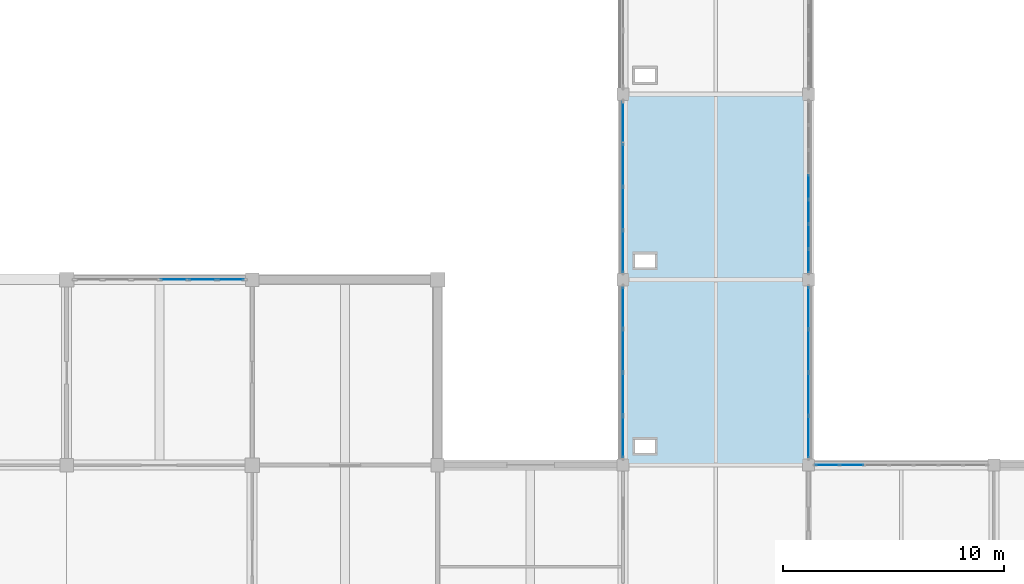
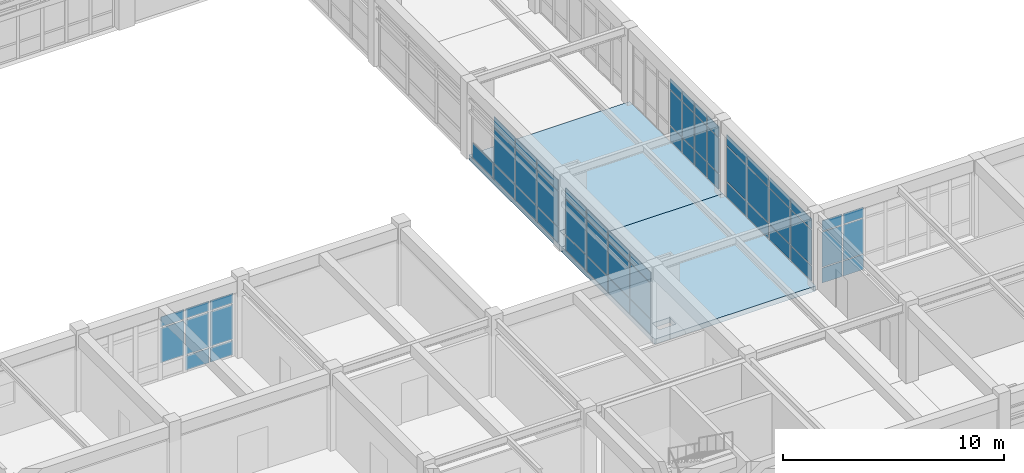
# One storey, part 50 of 78: 60 plates, 2 slabs, 6 elements without a shape of their own.
"""IFC4 building model written with IfcOpenShell, lengths in metres."""

from ifc_helpers import new_model, si_unit, direction, frame, origin, origin_2d, place, context, subcontext, project, spatial, polyline, rectangle, outline, extrude, material, layer, layer_set, type_object, element, aggregate, save


model = new_model("IFC4")

# Units and contexts
model_context = context("Model", 3, precision=1e-05, world=origin(), true_north=direction((0.0, 1.0)))
body_context = subcontext(model_context, "Body", "Model", "MODEL_VIEW")
ifc_project = project(units=[si_unit("LENGTHUNIT", "METRE"), si_unit("AREAUNIT", "SQUARE_METRE"), si_unit("VOLUMEUNIT", "CUBIC_METRE"), si_unit("PLANEANGLEUNIT", "RADIAN"), si_unit("MASSUNIT", "GRAM", prefix="KILO")], contexts=[model_context])

# Site, building, storey
site_placement = place(None, origin())
site = spatial("IfcSite", under=ifc_project, at=site_placement, CompositionType="ELEMENT")
building_placement = place(site_placement, origin())
building = spatial("IfcBuilding", under=site, at=building_placement, Name="Porcellanite Civic Hall", CompositionType="ELEMENT")
storey_placement = place(building_placement, frame((0.0, 0.0, 10.260009765625)))
storey = spatial("IfcBuildingStorey", under=building, at=storey_placement, Name="L02", CompositionType="ELEMENT", Elevation=10.260009765625)

# Curtain wall, plates
ifc_material_1 = material(Name="Anodised aluminium and solar laminated glass", Category="aluminium")
ifc_layer_1 = layer(ifc_material_1, 0.179931640625)
ifc_layer_set_1 = layer_set([ifc_layer_1], Name="Anodised aluminium and solar laminated glass")
curtain_wall_type_1 = type_object("IfcCurtainWallType", Name="CW-SYS01", PredefinedType="NOTDEFINED", material=ifc_layer_set_1)
curtain_wall_1_placement = place(storey_placement, origin())
curtain_wall_1 = element("IfcCurtainWall", 1, at=curtain_wall_1_placement, inside=storey, type_object=curtain_wall_type_1, Name="Curtain wall CW-157", PredefinedType="NOTDEFINED")
ifc_material_2 = material(Name="Cyclone laminated solar-control low-E glass", Category="glass")
ifc_layer_2 = layer(ifc_material_2, 0.02392578125)
ifc_layer_set_2 = layer_set([ifc_layer_2], Name="Cyclone laminated solar-control low-E glass")
plate_type_1 = type_object("IfcPlateType", Name="CWP-01", PredefinedType="CURTAIN_PANEL", material=ifc_layer_set_2)
plate_1_placement = place(storey_placement, frame((97.26025390625, 75.60009765625, 0.93505859375), z_axis=(0.0, 0.0, 1.0), x_axis=(1.0, 0.0, 0.0)))
plate_1 = element("IfcPlate", 2, at=plate_1_placement, type_object=plate_type_1, Name="CW-157 panel 4.2", PredefinedType="CURTAIN_PANEL", context=body_context, shape_type="SweptSolid", body=[
    extrude(rectangle(XDim=1.215576171875, YDim=0.02392578125, at=origin_2d()), origin(), (0.0, 0.0, 1.0), 1.919921875),
])
plate_2_placement = place(storey_placement, frame((97.26025390625, 75.60009765625, 2.925048828125), z_axis=(0.0, 0.0, 1.0), x_axis=(1.0, 0.0, 0.0)))
plate_2 = element("IfcPlate", 3, at=plate_2_placement, type_object=plate_type_1, Name="CW-157 panel 4.3", PredefinedType="CURTAIN_PANEL", context=body_context, shape_type="SweptSolid", body=[
    extrude(rectangle(XDim=1.215576171875, YDim=0.02392578125, at=origin_2d()), origin(), (0.0, 0.0, 1.0), 0.544921875),
])
plate_3_placement = place(storey_placement, frame((98.5556640625, 75.60009765625, 0.070068359375), z_axis=(0.0, 0.0, 1.0), x_axis=(1.0, 0.0, 0.0)))
plate_3 = element("IfcPlate", 4, at=plate_3_placement, type_object=plate_type_1, Name="CW-157 panel 5.1", PredefinedType="CURTAIN_PANEL", context=body_context, shape_type="SweptSolid", body=[
    extrude(rectangle(XDim=1.215576171875, YDim=0.02392578125, at=origin_2d()), origin(), (0.0, 0.0, 1.0), 0.794921875),
])
plate_4_placement = place(storey_placement, frame((98.5556640625, 75.60009765625, 0.93505859375), z_axis=(0.0, 0.0, 1.0), x_axis=(1.0, 0.0, 0.0)))
plate_4 = element("IfcPlate", 5, at=plate_4_placement, type_object=plate_type_1, Name="CW-157 panel 5.2", PredefinedType="CURTAIN_PANEL", context=body_context, shape_type="SweptSolid", body=[
    extrude(rectangle(XDim=1.215576171875, YDim=0.02392578125, at=origin_2d()), origin(), (0.0, 0.0, 1.0), 1.919921875),
])
plate_5_placement = place(storey_placement, frame((98.5556640625, 75.60009765625, 2.925048828125), z_axis=(0.0, 0.0, 1.0), x_axis=(1.0, 0.0, 0.0)))
plate_5 = element("IfcPlate", 6, at=plate_5_placement, type_object=plate_type_1, Name="CW-157 panel 5.3", PredefinedType="CURTAIN_PANEL", context=body_context, shape_type="SweptSolid", body=[
    extrude(rectangle(XDim=1.215576171875, YDim=0.02392578125, at=origin_2d()), origin(), (0.0, 0.0, 1.0), 0.544921875),
])
plate_6_placement = place(storey_placement, frame((99.831298828125, 75.60009765625, 0.070068359375), z_axis=(0.0, 0.0, 1.0), x_axis=(1.0, 0.0, 0.0)))
plate_6 = element("IfcPlate", 7, at=plate_6_placement, type_object=plate_type_1, Name="CW-157 panel 6.1", PredefinedType="CURTAIN_PANEL", context=body_context, shape_type="SweptSolid", body=[
    extrude(rectangle(XDim=1.175537109375, YDim=0.02392578125, at=origin_2d()), origin(), (0.0, 0.0, 1.0), 0.794921875),
])
plate_7_placement = place(storey_placement, frame((99.831298828125, 75.60009765625, 0.93505859375), z_axis=(0.0, 0.0, 1.0), x_axis=(1.0, 0.0, 0.0)))
plate_7 = element("IfcPlate", 8, at=plate_7_placement, type_object=plate_type_1, Name="CW-157 panel 6.2", PredefinedType="CURTAIN_PANEL", context=body_context, shape_type="SweptSolid", body=[
    extrude(rectangle(XDim=1.175537109375, YDim=0.02392578125, at=origin_2d()), origin(), (0.0, 0.0, 1.0), 1.919921875),
])
plate_8_placement = place(storey_placement, frame((99.831298828125, 75.60009765625, 2.925048828125), z_axis=(0.0, 0.0, 1.0), x_axis=(1.0, 0.0, 0.0)))
plate_8 = element("IfcPlate", 9, at=plate_8_placement, type_object=plate_type_1, Name="CW-157 panel 6.3", PredefinedType="CURTAIN_PANEL", context=body_context, shape_type="SweptSolid", body=[
    extrude(rectangle(XDim=1.175537109375, YDim=0.02392578125, at=origin_2d()), origin(), (0.0, 0.0, 1.0), 0.544921875),
])
aggregate(curtain_wall_1, [plate_1, plate_2, plate_3, plate_4, plate_5, plate_6, plate_7, plate_8])

ifc_material_3 = material(Name="Anodised aluminium and solar laminated glass", Category="aluminium")
ifc_layer_3 = layer(ifc_material_3, 0.179931640625)
ifc_layer_set_3 = layer_set([ifc_layer_3], Name="Anodised aluminium and solar laminated glass")
curtain_wall_type_2 = type_object("IfcCurtainWallType", Name="CW-SYS07", PredefinedType="NOTDEFINED", material=ifc_layer_set_3)
curtain_wall_2_placement = place(storey_placement, origin())
curtain_wall_2 = element("IfcCurtainWall", 10, at=curtain_wall_2_placement, inside=storey, type_object=curtain_wall_type_2, Name="Curtain wall CW-171", PredefinedType="NOTDEFINED")
ifc_material_4 = material(Name="Cyclone laminated solar-control low-E glass", Category="glass")
ifc_layer_4 = layer(ifc_material_4, 0.02587890625)
ifc_layer_set_4 = layer_set([ifc_layer_4], Name="Cyclone laminated solar-control low-E glass")
plate_type_2 = type_object("IfcPlateType", Name="CWP-02", PredefinedType="CURTAIN_PANEL", material=ifc_layer_set_4)
plate_9_placement = place(storey_placement, frame((126.8515625, 67.199951171875, 0.0498046875), z_axis=(0.0, 0.0, 1.0), x_axis=(1.0, 0.0, 0.0)))
plate_9 = element("IfcPlate", 11, at=plate_9_placement, type_object=plate_type_2, Name="CW-171 panel 1.1", PredefinedType="CURTAIN_PANEL", context=body_context, shape_type="SweptSolid", body=[
    extrude(rectangle(XDim=1.03125, YDim=0.02587890625, at=origin_2d()), origin(), (0.0, 0.0, 1.0), 0.824951171875),
])
plate_10_placement = place(storey_placement, frame((126.8515625, 67.199951171875, 0.925048828125), z_axis=(0.0, 0.0, 1.0), x_axis=(1.0, 0.0, 0.0)))
plate_10 = element("IfcPlate", 12, at=plate_10_placement, type_object=plate_type_2, Name="CW-171 panel 1.2", PredefinedType="CURTAIN_PANEL", context=body_context, shape_type="SweptSolid", body=[
    extrude(rectangle(XDim=1.03125, YDim=0.02587890625, at=origin_2d()), origin(), (0.0, 0.0, 1.0), 1.93994140625),
])
plate_11_placement = place(storey_placement, frame((126.8515625, 67.199951171875, 2.9150390625), z_axis=(0.0, 0.0, 1.0), x_axis=(1.0, 0.0, 0.0)))
plate_11 = element("IfcPlate", 13, at=plate_11_placement, type_object=plate_type_2, Name="CW-171 panel 1.3", PredefinedType="CURTAIN_PANEL", context=body_context, shape_type="SweptSolid", body=[
    extrude(rectangle(XDim=1.03125, YDim=0.02587890625, at=origin_2d()), origin(), (0.0, 0.0, 1.0), 0.574951171875),
])
plate_12_placement = place(storey_placement, frame((127.957763671875, 67.199951171875, 0.0498046875), z_axis=(0.0, 0.0, 1.0), x_axis=(1.0, 0.0, 0.0)))
plate_12 = element("IfcPlate", 14, at=plate_12_placement, type_object=plate_type_2, Name="CW-171 panel 2.1", PredefinedType="CURTAIN_PANEL", context=body_context, shape_type="SweptSolid", body=[
    extrude(rectangle(XDim=1.06103515625, YDim=0.02587890625, at=origin_2d()), origin(), (0.0, 0.0, 1.0), 0.824951171875),
])
plate_13_placement = place(storey_placement, frame((127.957763671875, 67.199951171875, 0.925048828125), z_axis=(0.0, 0.0, 1.0), x_axis=(1.0, 0.0, 0.0)))
plate_13 = element("IfcPlate", 15, at=plate_13_placement, type_object=plate_type_2, Name="CW-171 panel 2.2", PredefinedType="CURTAIN_PANEL", context=body_context, shape_type="SweptSolid", body=[
    extrude(rectangle(XDim=1.06103515625, YDim=0.02587890625, at=origin_2d()), origin(), (0.0, 0.0, 1.0), 1.93994140625),
])
plate_14_placement = place(storey_placement, frame((127.957763671875, 67.199951171875, 2.9150390625), z_axis=(0.0, 0.0, 1.0), x_axis=(1.0, 0.0, 0.0)))
plate_14 = element("IfcPlate", 16, at=plate_14_placement, type_object=plate_type_2, Name="CW-171 panel 2.3", PredefinedType="CURTAIN_PANEL", context=body_context, shape_type="SweptSolid", body=[
    extrude(rectangle(XDim=1.06103515625, YDim=0.02587890625, at=origin_2d()), origin(), (0.0, 0.0, 1.0), 0.574951171875),
])
aggregate(curtain_wall_2, [plate_9, plate_10, plate_11, plate_12, plate_13, plate_14])

ifc_material_5 = material(Name="Anodised aluminium and solar laminated glass", Category="aluminium")
ifc_layer_5 = layer(ifc_material_5, 0.179931640625)
ifc_layer_set_5 = layer_set([ifc_layer_5], Name="Anodised aluminium and solar laminated glass")
curtain_wall_type_3 = type_object("IfcCurtainWallType", Name="CW-SYS03", PredefinedType="NOTDEFINED", material=ifc_layer_set_5)
curtain_wall_3_placement = place(storey_placement, origin())
curtain_wall_3 = element("IfcCurtainWall", 17, at=curtain_wall_3_placement, inside=storey, type_object=curtain_wall_type_3, Name="Curtain wall CW-162", PredefinedType="NOTDEFINED")
ifc_material_6 = material(Name="Cyclone laminated solar-control low-E glass", Category="glass")
ifc_layer_6 = layer(ifc_material_6, 0.028076171875)
ifc_layer_set_6 = layer_set([ifc_layer_6], Name="Cyclone laminated solar-control low-E glass")
plate_type_3 = type_object("IfcPlateType", Name="CWP-03", PredefinedType="CURTAIN_PANEL", material=ifc_layer_set_6)
plate_15_placement = place(storey_placement, frame((117.60009765625, 68.47705078125, 0.054931640625), z_axis=(0.0, 0.0, 1.0), x_axis=(0.0, 1.0, 0.0)))
plate_15 = element("IfcPlate", 18, at=plate_15_placement, type_object=plate_type_3, Name="CW-162 panel 1.1", PredefinedType="CURTAIN_PANEL", context=body_context, shape_type="SweptSolid", body=[
    extrude(rectangle(XDim=1.842041015625, YDim=0.028076171875, at=origin_2d()), origin(), (0.0, 0.0, 1.0), 0.8173828125),
])
plate_16_placement = place(storey_placement, frame((117.60009765625, 68.47705078125, 0.927490234375), z_axis=(0.0, 0.0, 1.0), x_axis=(0.0, 1.0, 0.0)))
plate_16 = element("IfcPlate", 19, at=plate_16_placement, type_object=plate_type_3, Name="CW-162 panel 1.2", PredefinedType="CURTAIN_PANEL", context=body_context, shape_type="SweptSolid", body=[
    extrude(rectangle(XDim=1.842041015625, YDim=0.028076171875, at=origin_2d()), origin(), (0.0, 0.0, 1.0), 1.93505859375),
])
plate_17_placement = place(storey_placement, frame((117.60009765625, 68.47705078125, 2.91748046875), z_axis=(0.0, 0.0, 1.0), x_axis=(0.0, 1.0, 0.0)))
plate_17 = element("IfcPlate", 20, at=plate_17_placement, type_object=plate_type_3, Name="CW-162 panel 1.3", PredefinedType="CURTAIN_PANEL", context=body_context, shape_type="SweptSolid", body=[
    extrude(rectangle(XDim=1.842041015625, YDim=0.028076171875, at=origin_2d()), origin(), (0.0, 0.0, 1.0), 0.5673828125),
])
plate_18_placement = place(storey_placement, frame((117.60009765625, 70.4189453125, 0.054931640625), z_axis=(0.0, 0.0, 1.0), x_axis=(0.0, 1.0, 0.0)))
plate_18 = element("IfcPlate", 21, at=plate_18_placement, type_object=plate_type_3, Name="CW-162 panel 2.1", PredefinedType="CURTAIN_PANEL", context=body_context, shape_type="SweptSolid", body=[
    extrude(rectangle(XDim=1.882080078125, YDim=0.028076171875, at=origin_2d()), origin(), (0.0, 0.0, 1.0), 0.8173828125),
])
plate_19_placement = place(storey_placement, frame((117.60009765625, 70.4189453125, 0.927490234375), z_axis=(0.0, 0.0, 1.0), x_axis=(0.0, 1.0, 0.0)))
plate_19 = element("IfcPlate", 22, at=plate_19_placement, type_object=plate_type_3, Name="CW-162 panel 2.2", PredefinedType="CURTAIN_PANEL", context=body_context, shape_type="SweptSolid", body=[
    extrude(rectangle(XDim=1.882080078125, YDim=0.028076171875, at=origin_2d()), origin(), (0.0, 0.0, 1.0), 1.93505859375),
])
plate_20_placement = place(storey_placement, frame((117.60009765625, 70.4189453125, 2.91748046875), z_axis=(0.0, 0.0, 1.0), x_axis=(0.0, 1.0, 0.0)))
plate_20 = element("IfcPlate", 23, at=plate_20_placement, type_object=plate_type_3, Name="CW-162 panel 2.3", PredefinedType="CURTAIN_PANEL", context=body_context, shape_type="SweptSolid", body=[
    extrude(rectangle(XDim=1.882080078125, YDim=0.028076171875, at=origin_2d()), origin(), (0.0, 0.0, 1.0), 0.5673828125),
])
plate_21_placement = place(storey_placement, frame((117.60009765625, 72.381103515625, 0.054931640625), z_axis=(0.0, 0.0, 1.0), x_axis=(0.0, 1.0, 0.0)))
plate_21 = element("IfcPlate", 24, at=plate_21_placement, type_object=plate_type_3, Name="CW-162 panel 3.1", PredefinedType="CURTAIN_PANEL", context=body_context, shape_type="SweptSolid", body=[
    extrude(rectangle(XDim=1.882080078125, YDim=0.028076171875, at=origin_2d()), origin(), (0.0, 0.0, 1.0), 0.8173828125),
])
plate_22_placement = place(storey_placement, frame((117.60009765625, 72.381103515625, 0.927490234375), z_axis=(0.0, 0.0, 1.0), x_axis=(0.0, 1.0, 0.0)))
plate_22 = element("IfcPlate", 25, at=plate_22_placement, type_object=plate_type_3, Name="CW-162 panel 3.2", PredefinedType="CURTAIN_PANEL", context=body_context, shape_type="SweptSolid", body=[
    extrude(rectangle(XDim=1.882080078125, YDim=0.028076171875, at=origin_2d()), origin(), (0.0, 0.0, 1.0), 1.93505859375),
])
plate_23_placement = place(storey_placement, frame((117.60009765625, 72.381103515625, 2.91748046875), z_axis=(0.0, 0.0, 1.0), x_axis=(0.0, 1.0, 0.0)))
plate_23 = element("IfcPlate", 26, at=plate_23_placement, type_object=plate_type_3, Name="CW-162 panel 3.3", PredefinedType="CURTAIN_PANEL", context=body_context, shape_type="SweptSolid", body=[
    extrude(rectangle(XDim=1.882080078125, YDim=0.028076171875, at=origin_2d()), origin(), (0.0, 0.0, 1.0), 0.5673828125),
])
plate_24_placement = place(storey_placement, frame((117.60009765625, 74.322998046875, 0.054931640625), z_axis=(0.0, 0.0, 1.0), x_axis=(0.0, 1.0, 0.0)))
plate_24 = element("IfcPlate", 27, at=plate_24_placement, type_object=plate_type_3, Name="CW-162 panel 4.1", PredefinedType="CURTAIN_PANEL", context=body_context, shape_type="SweptSolid", body=[
    extrude(rectangle(XDim=1.842041015625, YDim=0.028076171875, at=origin_2d()), origin(), (0.0, 0.0, 1.0), 0.8173828125),
])
plate_25_placement = place(storey_placement, frame((117.60009765625, 74.322998046875, 0.927490234375), z_axis=(0.0, 0.0, 1.0), x_axis=(0.0, 1.0, 0.0)))
plate_25 = element("IfcPlate", 28, at=plate_25_placement, type_object=plate_type_3, Name="CW-162 panel 4.2", PredefinedType="CURTAIN_PANEL", context=body_context, shape_type="SweptSolid", body=[
    extrude(rectangle(XDim=1.842041015625, YDim=0.028076171875, at=origin_2d()), origin(), (0.0, 0.0, 1.0), 1.93505859375),
])
plate_26_placement = place(storey_placement, frame((117.60009765625, 74.322998046875, 2.91748046875), z_axis=(0.0, 0.0, 1.0), x_axis=(0.0, 1.0, 0.0)))
plate_26 = element("IfcPlate", 29, at=plate_26_placement, type_object=plate_type_3, Name="CW-162 panel 4.3", PredefinedType="CURTAIN_PANEL", context=body_context, shape_type="SweptSolid", body=[
    extrude(rectangle(XDim=1.842041015625, YDim=0.028076171875, at=origin_2d()), origin(), (0.0, 0.0, 1.0), 0.5673828125),
])
aggregate(curtain_wall_3, [plate_15, plate_16, plate_17, plate_18, plate_19, plate_20, plate_21, plate_22, plate_23, plate_24, plate_25, plate_26])

ifc_material_7 = material(Name="Anodised aluminium and solar laminated glass", Category="aluminium")
ifc_layer_7 = layer(ifc_material_7, 0.179931640625)
ifc_layer_set_7 = layer_set([ifc_layer_7], Name="Anodised aluminium and solar laminated glass")
curtain_wall_type_4 = type_object("IfcCurtainWallType", Name="CW-SYS04", PredefinedType="NOTDEFINED", material=ifc_layer_set_7)
curtain_wall_4_placement = place(storey_placement, origin())
curtain_wall_4 = element("IfcCurtainWall", 30, at=curtain_wall_4_placement, inside=storey, type_object=curtain_wall_type_4, Name="Curtain wall CW-163", PredefinedType="NOTDEFINED")
ifc_material_8 = material(Name="Cyclone laminated solar-control low-E glass", Category="glass")
ifc_layer_8 = layer(ifc_material_8, 0.030029296875)
ifc_layer_set_8 = layer_set([ifc_layer_8], Name="Cyclone laminated solar-control low-E glass")
plate_type_4 = type_object("IfcPlateType", Name="CWP-04", PredefinedType="CURTAIN_PANEL", material=ifc_layer_set_8)
plate_27_placement = place(storey_placement, frame((126.0, 74.32421875, 0.054931640625), z_axis=(0.0, 0.0, 1.0), x_axis=(0.0, -1.0, 0.0)))
plate_27 = element("IfcPlate", 31, at=plate_27_placement, type_object=plate_type_4, Name="CW-163 panel 1.1", PredefinedType="CURTAIN_PANEL", context=body_context, shape_type="SweptSolid", body=[
    extrude(rectangle(XDim=1.849609375, YDim=0.030029296875, at=origin_2d()), origin(), (0.0, 0.0, 1.0), 0.8173828125),
])
plate_28_placement = place(storey_placement, frame((126.0, 74.32421875, 0.927490234375), z_axis=(0.0, 0.0, 1.0), x_axis=(0.0, -1.0, 0.0)))
plate_28 = element("IfcPlate", 32, at=plate_28_placement, type_object=plate_type_4, Name="CW-163 panel 1.2", PredefinedType="CURTAIN_PANEL", context=body_context, shape_type="SweptSolid", body=[
    extrude(rectangle(XDim=1.849609375, YDim=0.030029296875, at=origin_2d()), origin(), (0.0, 0.0, 1.0), 1.93505859375),
])
plate_29_placement = place(storey_placement, frame((126.0, 74.32421875, 2.91748046875), z_axis=(0.0, 0.0, 1.0), x_axis=(0.0, -1.0, 0.0)))
plate_29 = element("IfcPlate", 33, at=plate_29_placement, type_object=plate_type_4, Name="CW-163 panel 1.3", PredefinedType="CURTAIN_PANEL", context=body_context, shape_type="SweptSolid", body=[
    extrude(rectangle(XDim=1.849609375, YDim=0.030029296875, at=origin_2d()), origin(), (0.0, 0.0, 1.0), 0.5673828125),
])
plate_30_placement = place(storey_placement, frame((126.0, 72.381103515625, 0.054931640625), z_axis=(0.0, 0.0, 1.0), x_axis=(0.0, -1.0, 0.0)))
plate_30 = element("IfcPlate", 34, at=plate_30_placement, type_object=plate_type_4, Name="CW-163 panel 2.1", PredefinedType="CURTAIN_PANEL", context=body_context, shape_type="SweptSolid", body=[
    extrude(rectangle(XDim=1.886962890625, YDim=0.030029296875, at=origin_2d()), origin(), (0.0, 0.0, 1.0), 0.8173828125),
])
plate_31_placement = place(storey_placement, frame((126.0, 72.381103515625, 0.927490234375), z_axis=(0.0, 0.0, 1.0), x_axis=(0.0, -1.0, 0.0)))
plate_31 = element("IfcPlate", 35, at=plate_31_placement, type_object=plate_type_4, Name="CW-163 panel 2.2", PredefinedType="CURTAIN_PANEL", context=body_context, shape_type="SweptSolid", body=[
    extrude(rectangle(XDim=1.886962890625, YDim=0.030029296875, at=origin_2d()), origin(), (0.0, 0.0, 1.0), 1.93505859375),
])
plate_32_placement = place(storey_placement, frame((126.0, 72.381103515625, 2.91748046875), z_axis=(0.0, 0.0, 1.0), x_axis=(0.0, -1.0, 0.0)))
plate_32 = element("IfcPlate", 36, at=plate_32_placement, type_object=plate_type_4, Name="CW-163 panel 2.3", PredefinedType="CURTAIN_PANEL", context=body_context, shape_type="SweptSolid", body=[
    extrude(rectangle(XDim=1.886962890625, YDim=0.030029296875, at=origin_2d()), origin(), (0.0, 0.0, 1.0), 0.5673828125),
])
plate_33_placement = place(storey_placement, frame((126.0, 70.4189453125, 0.054931640625), z_axis=(0.0, 0.0, 1.0), x_axis=(0.0, -1.0, 0.0)))
plate_33 = element("IfcPlate", 37, at=plate_33_placement, type_object=plate_type_4, Name="CW-163 panel 3.1", PredefinedType="CURTAIN_PANEL", context=body_context, shape_type="SweptSolid", body=[
    extrude(rectangle(XDim=1.886962890625, YDim=0.030029296875, at=origin_2d()), origin(), (0.0, 0.0, 1.0), 0.8173828125),
])
plate_34_placement = place(storey_placement, frame((126.0, 70.4189453125, 0.927490234375), z_axis=(0.0, 0.0, 1.0), x_axis=(0.0, -1.0, 0.0)))
plate_34 = element("IfcPlate", 38, at=plate_34_placement, type_object=plate_type_4, Name="CW-163 panel 3.2", PredefinedType="CURTAIN_PANEL", context=body_context, shape_type="SweptSolid", body=[
    extrude(rectangle(XDim=1.886962890625, YDim=0.030029296875, at=origin_2d()), origin(), (0.0, 0.0, 1.0), 1.93505859375),
])
plate_35_placement = place(storey_placement, frame((126.0, 70.4189453125, 2.91748046875), z_axis=(0.0, 0.0, 1.0), x_axis=(0.0, -1.0, 0.0)))
plate_35 = element("IfcPlate", 39, at=plate_35_placement, type_object=plate_type_4, Name="CW-163 panel 3.3", PredefinedType="CURTAIN_PANEL", context=body_context, shape_type="SweptSolid", body=[
    extrude(rectangle(XDim=1.886962890625, YDim=0.030029296875, at=origin_2d()), origin(), (0.0, 0.0, 1.0), 0.5673828125),
])
plate_36_placement = place(storey_placement, frame((126.0, 68.475830078125, 0.054931640625), z_axis=(0.0, 0.0, 1.0), x_axis=(0.0, -1.0, 0.0)))
plate_36 = element("IfcPlate", 40, at=plate_36_placement, type_object=plate_type_4, Name="CW-163 panel 4.1", PredefinedType="CURTAIN_PANEL", context=body_context, shape_type="SweptSolid", body=[
    extrude(rectangle(XDim=1.849609375, YDim=0.030029296875, at=origin_2d()), origin(), (0.0, 0.0, 1.0), 0.8173828125),
])
plate_37_placement = place(storey_placement, frame((126.0, 68.475830078125, 0.927490234375), z_axis=(0.0, 0.0, 1.0), x_axis=(0.0, -1.0, 0.0)))
plate_37 = element("IfcPlate", 41, at=plate_37_placement, type_object=plate_type_4, Name="CW-163 panel 4.2", PredefinedType="CURTAIN_PANEL", context=body_context, shape_type="SweptSolid", body=[
    extrude(rectangle(XDim=1.849609375, YDim=0.030029296875, at=origin_2d()), origin(), (0.0, 0.0, 1.0), 1.93505859375),
])
plate_38_placement = place(storey_placement, frame((126.0, 68.475830078125, 2.91748046875), z_axis=(0.0, 0.0, 1.0), x_axis=(0.0, -1.0, 0.0)))
plate_38 = element("IfcPlate", 42, at=plate_38_placement, type_object=plate_type_4, Name="CW-163 panel 4.3", PredefinedType="CURTAIN_PANEL", context=body_context, shape_type="SweptSolid", body=[
    extrude(rectangle(XDim=1.849609375, YDim=0.030029296875, at=origin_2d()), origin(), (0.0, 0.0, 1.0), 0.5673828125),
])
aggregate(curtain_wall_4, [plate_27, plate_28, plate_29, plate_30, plate_31, plate_32, plate_33, plate_34, plate_35, plate_36, plate_37, plate_38])

ifc_material_9 = material(Name="Anodised aluminium and solar laminated glass", Category="aluminium")
ifc_layer_9 = layer(ifc_material_9, 0.179931640625)
ifc_layer_set_9 = layer_set([ifc_layer_9], Name="Anodised aluminium and solar laminated glass")
curtain_wall_type_5 = type_object("IfcCurtainWallType", Name="CW-SYS06", PredefinedType="NOTDEFINED", material=ifc_layer_set_9)
curtain_wall_5_placement = place(storey_placement, origin())
curtain_wall_5 = element("IfcCurtainWall", 43, at=curtain_wall_5_placement, inside=storey, type_object=curtain_wall_type_5, Name="Curtain wall CW-164", PredefinedType="NOTDEFINED")
ifc_material_10 = material(Name="Cyclone laminated solar-control low-E glass", Category="glass")
ifc_layer_10 = layer(ifc_material_10, 0.031982421875)
ifc_layer_set_10 = layer_set([ifc_layer_10], Name="Cyclone laminated solar-control low-E glass")
plate_type_5 = type_object("IfcPlateType", Name="CWP-05", PredefinedType="CURTAIN_PANEL", material=ifc_layer_set_10)
plate_39_placement = place(storey_placement, frame((117.60009765625, 76.873291015625, 0.0498046875), z_axis=(0.0, 0.0, 1.0), x_axis=(0.0, 1.0, 0.0)))
plate_39 = element("IfcPlate", 44, at=plate_39_placement, type_object=plate_type_5, Name="CW-164 panel 1.1", PredefinedType="CURTAIN_PANEL", context=body_context, shape_type="SweptSolid", body=[
    extrude(rectangle(XDim=1.864501953125, YDim=0.031982421875, at=origin_2d()), origin(), (0.0, 0.0, 1.0), 0.824951171875),
])
plate_40_placement = place(storey_placement, frame((117.60009765625, 76.873291015625, 0.925048828125), z_axis=(0.0, 0.0, 1.0), x_axis=(0.0, 1.0, 0.0)))
plate_40 = element("IfcPlate", 45, at=plate_40_placement, type_object=plate_type_5, Name="CW-164 panel 1.2", PredefinedType="CURTAIN_PANEL", context=body_context, shape_type="SweptSolid", body=[
    extrude(rectangle(XDim=1.864501953125, YDim=0.031982421875, at=origin_2d()), origin(), (0.0, 0.0, 1.0), 1.93994140625),
])
plate_41_placement = place(storey_placement, frame((117.60009765625, 76.873291015625, 2.9150390625), z_axis=(0.0, 0.0, 1.0), x_axis=(0.0, 1.0, 0.0)))
plate_41 = element("IfcPlate", 46, at=plate_41_placement, type_object=plate_type_5, Name="CW-164 panel 1.3", PredefinedType="CURTAIN_PANEL", context=body_context, shape_type="SweptSolid", body=[
    extrude(rectangle(XDim=1.864501953125, YDim=0.031982421875, at=origin_2d()), origin(), (0.0, 0.0, 1.0), 0.574951171875),
])
plate_42_placement = place(storey_placement, frame((117.60009765625, 78.819091796875, 0.0498046875), z_axis=(0.0, 0.0, 1.0), x_axis=(0.0, 1.0, 0.0)))
plate_42 = element("IfcPlate", 47, at=plate_42_placement, type_object=plate_type_5, Name="CW-164 panel 2.1", PredefinedType="CURTAIN_PANEL", context=body_context, shape_type="SweptSolid", body=[
    extrude(rectangle(XDim=1.89697265625, YDim=0.031982421875, at=origin_2d()), origin(), (0.0, 0.0, 1.0), 0.824951171875),
])
plate_43_placement = place(storey_placement, frame((117.60009765625, 78.819091796875, 0.925048828125), z_axis=(0.0, 0.0, 1.0), x_axis=(0.0, 1.0, 0.0)))
plate_43 = element("IfcPlate", 48, at=plate_43_placement, type_object=plate_type_5, Name="CW-164 panel 2.2", PredefinedType="CURTAIN_PANEL", context=body_context, shape_type="SweptSolid", body=[
    extrude(rectangle(XDim=1.89697265625, YDim=0.031982421875, at=origin_2d()), origin(), (0.0, 0.0, 1.0), 1.93994140625),
])
plate_44_placement = place(storey_placement, frame((117.60009765625, 78.819091796875, 2.9150390625), z_axis=(0.0, 0.0, 1.0), x_axis=(0.0, 1.0, 0.0)))
plate_44 = element("IfcPlate", 49, at=plate_44_placement, type_object=plate_type_5, Name="CW-164 panel 2.3", PredefinedType="CURTAIN_PANEL", context=body_context, shape_type="SweptSolid", body=[
    extrude(rectangle(XDim=1.89697265625, YDim=0.031982421875, at=origin_2d()), origin(), (0.0, 0.0, 1.0), 0.574951171875),
])
plate_45_placement = place(storey_placement, frame((117.60009765625, 80.781005859375, 0.0498046875), z_axis=(0.0, 0.0, 1.0), x_axis=(0.0, 1.0, 0.0)))
plate_45 = element("IfcPlate", 50, at=plate_45_placement, type_object=plate_type_5, Name="CW-164 panel 3.1", PredefinedType="CURTAIN_PANEL", context=body_context, shape_type="SweptSolid", body=[
    extrude(rectangle(XDim=1.89697265625, YDim=0.031982421875, at=origin_2d()), origin(), (0.0, 0.0, 1.0), 0.824951171875),
])
plate_46_placement = place(storey_placement, frame((117.60009765625, 80.781005859375, 0.925048828125), z_axis=(0.0, 0.0, 1.0), x_axis=(0.0, 1.0, 0.0)))
plate_46 = element("IfcPlate", 51, at=plate_46_placement, type_object=plate_type_5, Name="CW-164 panel 3.2", PredefinedType="CURTAIN_PANEL", context=body_context, shape_type="SweptSolid", body=[
    extrude(rectangle(XDim=1.89697265625, YDim=0.031982421875, at=origin_2d()), origin(), (0.0, 0.0, 1.0), 1.93994140625),
])
plate_47_placement = place(storey_placement, frame((117.60009765625, 80.781005859375, 2.9150390625), z_axis=(0.0, 0.0, 1.0), x_axis=(0.0, 1.0, 0.0)))
plate_47 = element("IfcPlate", 52, at=plate_47_placement, type_object=plate_type_5, Name="CW-164 panel 3.3", PredefinedType="CURTAIN_PANEL", context=body_context, shape_type="SweptSolid", body=[
    extrude(rectangle(XDim=1.89697265625, YDim=0.031982421875, at=origin_2d()), origin(), (0.0, 0.0, 1.0), 0.574951171875),
])
plate_48_placement = place(storey_placement, frame((117.60009765625, 82.726806640625, 0.0498046875), z_axis=(0.0, 0.0, 1.0), x_axis=(0.0, 1.0, 0.0)))
plate_48 = element("IfcPlate", 53, at=plate_48_placement, type_object=plate_type_5, Name="CW-164 panel 4.1", PredefinedType="CURTAIN_PANEL", context=body_context, shape_type="SweptSolid", body=[
    extrude(rectangle(XDim=1.864501953125, YDim=0.031982421875, at=origin_2d()), origin(), (0.0, 0.0, 1.0), 0.824951171875),
])
aggregate(curtain_wall_5, [plate_39, plate_40, plate_41, plate_42, plate_43, plate_44, plate_45, plate_46, plate_47, plate_48])

curtain_wall_6_placement = place(storey_placement, origin())
curtain_wall_6 = element("IfcCurtainWall", 54, at=curtain_wall_6_placement, inside=storey, type_object=curtain_wall_type_2, Name="Curtain wall CW-165", PredefinedType="NOTDEFINED")
ifc_material_11 = material(Name="Cyclone laminated solar-control low-E glass", Category="glass")
ifc_layer_11 = layer(ifc_material_11, 0.033935546875)
ifc_layer_set_11 = layer_set([ifc_layer_11], Name="Cyclone laminated solar-control low-E glass")
plate_type_6 = type_object("IfcPlateType", Name="CWP-06", PredefinedType="CURTAIN_PANEL", material=ifc_layer_set_11)
plate_49_placement = place(storey_placement, frame((126.0, 79.800048828125, 0.0498046875), z_axis=(0.0, 0.0, 1.0), x_axis=(0.0, -1.0, 0.0)))
plate_49 = element("IfcPlate", 55, at=plate_49_placement, type_object=plate_type_6, Name="CW-165 panel 4.1", PredefinedType="CURTAIN_PANEL", context=body_context, shape_type="SweptSolid", body=[
    extrude(rectangle(XDim=1.06103515625, YDim=0.033935546875, at=origin_2d()), origin(), (0.0, 0.0, 1.0), 0.824951171875),
])
plate_50_placement = place(storey_placement, frame((126.0, 79.800048828125, 0.925048828125), z_axis=(0.0, 0.0, 1.0), x_axis=(0.0, -1.0, 0.0)))
plate_50 = element("IfcPlate", 56, at=plate_50_placement, type_object=plate_type_6, Name="CW-165 panel 4.2", PredefinedType="CURTAIN_PANEL", context=body_context, shape_type="SweptSolid", body=[
    extrude(rectangle(XDim=1.06103515625, YDim=0.033935546875, at=origin_2d()), origin(), (0.0, 0.0, 1.0), 1.93994140625),
])
plate_51_placement = place(storey_placement, frame((126.0, 79.800048828125, 2.9150390625), z_axis=(0.0, 0.0, 1.0), x_axis=(0.0, -1.0, 0.0)))
plate_51 = element("IfcPlate", 57, at=plate_51_placement, type_object=plate_type_6, Name="CW-165 panel 4.3", PredefinedType="CURTAIN_PANEL", context=body_context, shape_type="SweptSolid", body=[
    extrude(rectangle(XDim=1.06103515625, YDim=0.033935546875, at=origin_2d()), origin(), (0.0, 0.0, 1.0), 0.574951171875),
])
plate_52_placement = place(storey_placement, frame((126.0, 78.678955078125, 0.0498046875), z_axis=(0.0, 0.0, 1.0), x_axis=(0.0, -1.0, 0.0)))
plate_52 = element("IfcPlate", 58, at=plate_52_placement, type_object=plate_type_6, Name="CW-165 panel 5.1", PredefinedType="CURTAIN_PANEL", context=body_context, shape_type="SweptSolid", body=[
    extrude(rectangle(XDim=1.06103515625, YDim=0.033935546875, at=origin_2d()), origin(), (0.0, 0.0, 1.0), 0.824951171875),
])
plate_53_placement = place(storey_placement, frame((126.0, 78.678955078125, 0.925048828125), z_axis=(0.0, 0.0, 1.0), x_axis=(0.0, -1.0, 0.0)))
plate_53 = element("IfcPlate", 59, at=plate_53_placement, type_object=plate_type_6, Name="CW-165 panel 5.2", PredefinedType="CURTAIN_PANEL", context=body_context, shape_type="SweptSolid", body=[
    extrude(rectangle(XDim=1.06103515625, YDim=0.033935546875, at=origin_2d()), origin(), (0.0, 0.0, 1.0), 1.93994140625),
])
plate_54_placement = place(storey_placement, frame((126.0, 78.678955078125, 2.9150390625), z_axis=(0.0, 0.0, 1.0), x_axis=(0.0, -1.0, 0.0)))
plate_54 = element("IfcPlate", 60, at=plate_54_placement, type_object=plate_type_6, Name="CW-165 panel 5.3", PredefinedType="CURTAIN_PANEL", context=body_context, shape_type="SweptSolid", body=[
    extrude(rectangle(XDim=1.06103515625, YDim=0.033935546875, at=origin_2d()), origin(), (0.0, 0.0, 1.0), 0.574951171875),
])
plate_55_placement = place(storey_placement, frame((126.0, 77.5576171875, 0.0498046875), z_axis=(0.0, 0.0, 1.0), x_axis=(0.0, -1.0, 0.0)))
plate_55 = element("IfcPlate", 61, at=plate_55_placement, type_object=plate_type_6, Name="CW-165 panel 6.1", PredefinedType="CURTAIN_PANEL", context=body_context, shape_type="SweptSolid", body=[
    extrude(rectangle(XDim=1.06103515625, YDim=0.033935546875, at=origin_2d()), origin(), (0.0, 0.0, 1.0), 0.824951171875),
])
plate_56_placement = place(storey_placement, frame((126.0, 77.5576171875, 0.925048828125), z_axis=(0.0, 0.0, 1.0), x_axis=(0.0, -1.0, 0.0)))
plate_56 = element("IfcPlate", 62, at=plate_56_placement, type_object=plate_type_6, Name="CW-165 panel 6.2", PredefinedType="CURTAIN_PANEL", context=body_context, shape_type="SweptSolid", body=[
    extrude(rectangle(XDim=1.06103515625, YDim=0.033935546875, at=origin_2d()), origin(), (0.0, 0.0, 1.0), 1.93994140625),
])
plate_57_placement = place(storey_placement, frame((126.0, 77.5576171875, 2.9150390625), z_axis=(0.0, 0.0, 1.0), x_axis=(0.0, -1.0, 0.0)))
plate_57 = element("IfcPlate", 63, at=plate_57_placement, type_object=plate_type_6, Name="CW-165 panel 6.3", PredefinedType="CURTAIN_PANEL", context=body_context, shape_type="SweptSolid", body=[
    extrude(rectangle(XDim=1.06103515625, YDim=0.033935546875, at=origin_2d()), origin(), (0.0, 0.0, 1.0), 0.574951171875),
])
plate_58_placement = place(storey_placement, frame((126.0, 76.45166015625, 0.0498046875), z_axis=(0.0, 0.0, 1.0), x_axis=(0.0, -1.0, 0.0)))
plate_58 = element("IfcPlate", 64, at=plate_58_placement, type_object=plate_type_6, Name="CW-165 panel 7.1", PredefinedType="CURTAIN_PANEL", context=body_context, shape_type="SweptSolid", body=[
    extrude(rectangle(XDim=1.03125, YDim=0.033935546875, at=origin_2d()), origin(), (0.0, 0.0, 1.0), 0.824951171875),
])
plate_59_placement = place(storey_placement, frame((126.0, 76.45166015625, 0.925048828125), z_axis=(0.0, 0.0, 1.0), x_axis=(0.0, -1.0, 0.0)))
plate_59 = element("IfcPlate", 65, at=plate_59_placement, type_object=plate_type_6, Name="CW-165 panel 7.2", PredefinedType="CURTAIN_PANEL", context=body_context, shape_type="SweptSolid", body=[
    extrude(rectangle(XDim=1.03125, YDim=0.033935546875, at=origin_2d()), origin(), (0.0, 0.0, 1.0), 1.93994140625),
])
plate_60_placement = place(storey_placement, frame((126.0, 76.45166015625, 2.9150390625), z_axis=(0.0, 0.0, 1.0), x_axis=(0.0, -1.0, 0.0)))
plate_60 = element("IfcPlate", 66, at=plate_60_placement, type_object=plate_type_6, Name="CW-165 panel 7.3", PredefinedType="CURTAIN_PANEL", context=body_context, shape_type="SweptSolid", body=[
    extrude(rectangle(XDim=1.03125, YDim=0.033935546875, at=origin_2d()), origin(), (0.0, 0.0, 1.0), 0.574951171875),
])
aggregate(curtain_wall_6, [plate_49, plate_50, plate_51, plate_52, plate_53, plate_54, plate_55, plate_56, plate_57, plate_58, plate_59, plate_60])

# Slabs
ifc_material_12 = material(Name="Concrete N40 (40 MPa)", Category="concrete")
ifc_layer_12 = layer(ifc_material_12, 0.280029296875)
ifc_layer_set_12 = layer_set([ifc_layer_12], Name="Concrete N40 (40 MPa)")
slab_type = type_object("IfcSlabType", Name="SL-FL280", PredefinedType="FLOOR", material=ifc_layer_set_12)
slab_1_placement = place(storey_placement, frame((0.0, 0.0, -0.280029296875)))
element("IfcSlab", 67, at=slab_1_placement, inside=storey, type_object=slab_type, Name="Slab L02 bay 15-9", PredefinedType="FLOOR", context=body_context, shape_type="SweptSolid", body=[
    extrude(outline(polyline([(117.60009765625, 67.199951171875), (126.0, 67.199951171875), (126.0, 75.60009765625), (117.60009765625, 75.60009765625), (117.60009765625, 67.199951171875)]), holes=[polyline([(118.14990234375, 67.75), (119.050048828125, 67.75), (119.050048828125, 68.35009765625), (118.14990234375, 68.35009765625), (118.14990234375, 67.75)])]), origin(), (0.0, 0.0, 1.0), 0.280029296875),
])
slab_2_placement = place(storey_placement, frame((0.0, 0.0, -0.280029296875)))
element("IfcSlab", 68, at=slab_2_placement, inside=storey, type_object=slab_type, Name="Slab L02 bay 15-10", PredefinedType="FLOOR", context=body_context, shape_type="SweptSolid", body=[
    extrude(outline(polyline([(117.60009765625, 75.60009765625), (126.0, 75.60009765625), (126.0, 84.0), (117.60009765625, 84.0), (117.60009765625, 75.60009765625)]), holes=[polyline([(118.14990234375, 76.14990234375), (119.050048828125, 76.14990234375), (119.050048828125, 76.75), (118.14990234375, 76.75), (118.14990234375, 76.14990234375)])]), origin(), (0.0, 0.0, 1.0), 0.280029296875),
])

save(model, "model.ifc")
